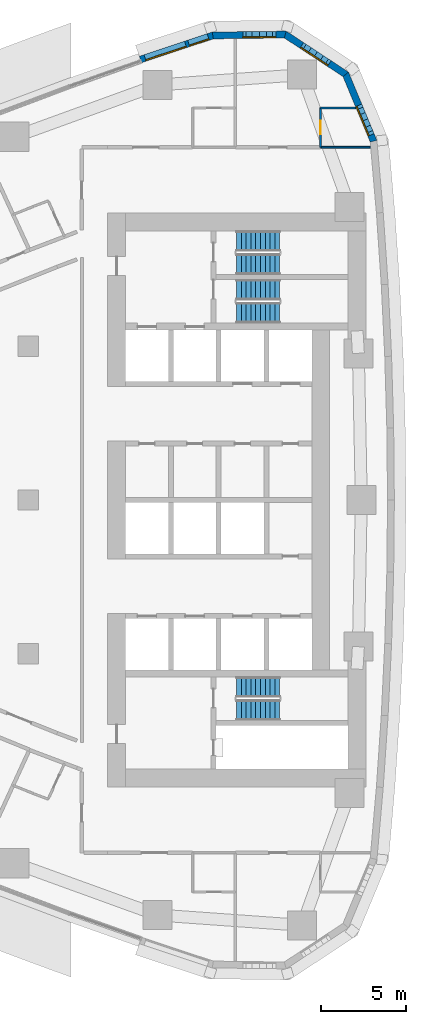
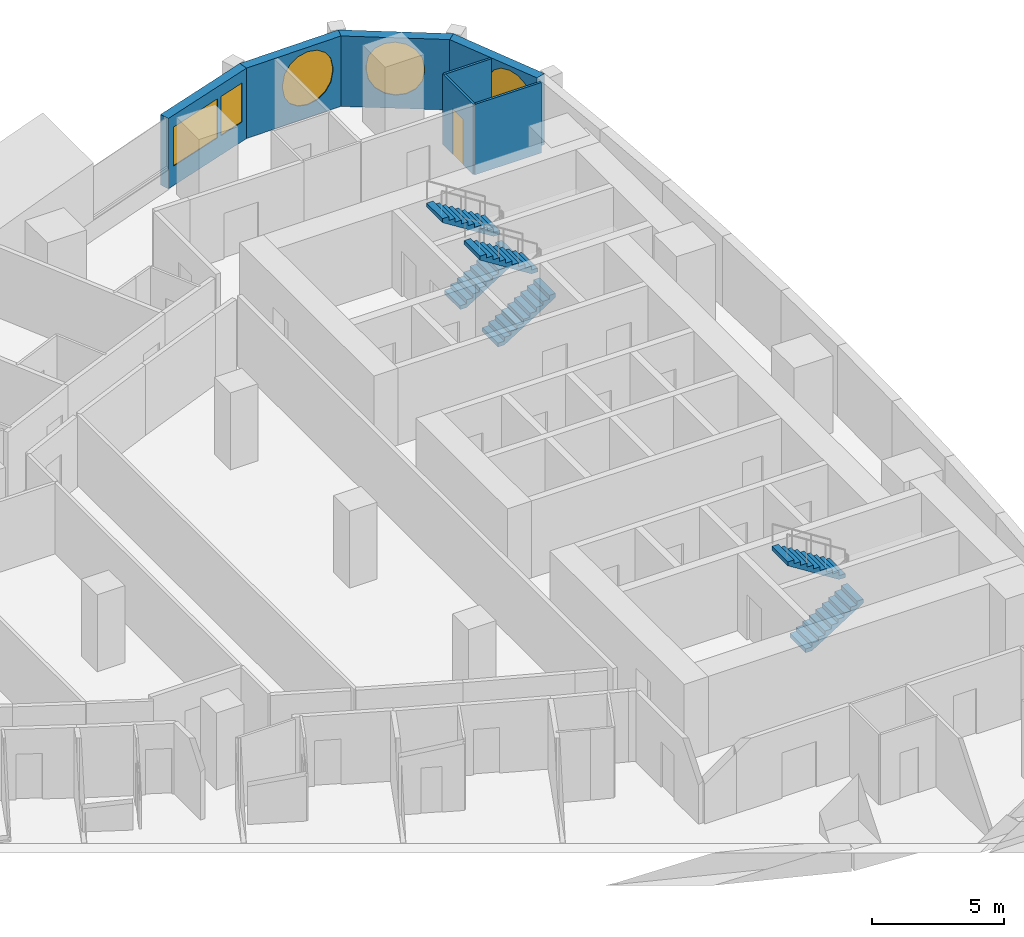
# One storey, part 13 of 17: 7 walls, 6 stair flights, 5 windows, 1 door, 6 openings, 3 elements without a shape of their own.
"""IFC4 building model written with IfcOpenShell, lengths in metres."""

from ifc_helpers import new_model, si_unit, direction, frame, frame_2d, origin, place, context, subcontext, project, spatial, polyline, rectangle, outline, extrude, material, layer, layer_set, type_object, element, fill, aggregate, save


model = new_model("IFC4")

# Units and contexts
model_context = context("Model", 3, precision=1e-05, world=origin(), true_north=direction((0.0, 1.0)))
body_context = subcontext(model_context, "Body", "Model", "MODEL_VIEW")
ifc_project = project(units=[si_unit("LENGTHUNIT", "METRE"), si_unit("AREAUNIT", "SQUARE_METRE"), si_unit("VOLUMEUNIT", "CUBIC_METRE"), si_unit("PLANEANGLEUNIT", "RADIAN"), si_unit("MASSUNIT", "GRAM", prefix="KILO")], contexts=[model_context])

# Site, building, storey
site_placement = place(None, origin())
site = spatial("IfcSite", under=ifc_project, at=site_placement, CompositionType="ELEMENT")
building_placement = place(site_placement, origin())
building = spatial("IfcBuilding", under=site, at=building_placement, Name="Ostrand Prow Hotel Tower", CompositionType="ELEMENT")
storey_placement = place(building_placement, frame((0.0, 0.0, 102.64990234375)))
storey = spatial("IfcBuildingStorey", under=building, at=storey_placement, Name="L24", CompositionType="ELEMENT", Elevation=102.64990234375)

# Wall, opening, door
ifc_material_1 = material(Name="Plasterboard partition")
ifc_layer_1 = layer(ifc_material_1, 0.10009765625)
ifc_layer_set_1 = layer_set([ifc_layer_1], Name="Plasterboard partition")
wall_type_1 = type_object("IfcWallType", Name="Partition 100 bathroom wall", PredefinedType="PARTITIONING", material=ifc_layer_set_1)
wall_1_placement = place(storey_placement, frame((62.111083984375, 20.64990234375, 0.0), z_axis=(0.0, 0.0, 1.0), x_axis=(0.0, 1.0, 0.0)))
wall_1 = element("IfcWall", 1, at=wall_1_placement, inside=storey, type_object=wall_type_1, Name="BATHROOM WALL", PredefinedType="PARTITIONING", context=body_context, shape_type="SweptSolid", body=[
    extrude(rectangle(XDim=2.300048828125, YDim=0.10009765625, at=frame_2d((1.14990234375, 0.0))), origin(), (0.0, 0.0, 1.0), 3.25),
])
opening_1_placement = place(wall_1_placement, frame((0.75, 0.0, 0.0)))
opening_1 = element("IfcOpeningElement", 2, at=opening_1_placement, cuts=wall_1, Name="Opening D2", PredefinedType="OPENING", context=body_context, shape_type="SweptSolid", body=[
    extrude(rectangle(XDim=0.800048828125, YDim=2.10009765625, at=frame_2d((0.39990234375, 1.050048828125))), frame((0.0, 0.06005859375, 0.0), z_axis=(0.0, -1.0, 0.0), x_axis=(1.0, 0.0, 0.0)), (0.0, 0.0, 1.0), 0.1201171875),
])
ifc_material_2 = material(Name="Timber door leaf", Category="wood")
door_type = type_object("IfcDoorType", Name="Bathroom door 800", OperationType="SINGLE_SWING_LEFT", PredefinedType="DOOR", material=ifc_material_2)
door_placement = place(opening_1_placement, origin())
door = element("IfcDoor", 3, at=door_placement, inside=storey, type_object=door_type, Name="DOOR", OperationType="SINGLE_SWING_LEFT", OverallHeight=2.10009765625, OverallWidth=0.800048828125, PredefinedType="DOOR", context=body_context, shape_type="SweptSolid", body=[
    extrude(rectangle(XDim=0.800048828125, YDim=2.10009765625, at=frame_2d((0.39990234375, 1.050048828125))), frame((0.0, 0.02490234375, 0.0), z_axis=(0.0, -1.0, 0.0), x_axis=(1.0, 0.0, 0.0)), (0.0, 0.0, 1.0), 0.050048828125),
])
fill(opening_1, door)

# Walls
wall_2_placement = place(storey_placement, frame((62.111083984375, 22.949951171875, 0.0), z_axis=(0.0, 0.0, 1.0), x_axis=(1.0, 0.0, 0.0)))
element("IfcWall", 4, at=wall_2_placement, inside=storey, type_object=wall_type_1, Name="BATHROOM WALL", PredefinedType="PARTITIONING", context=body_context, shape_type="SweptSolid", body=[
    extrude(rectangle(XDim=2.04931640625, YDim=0.10009765625, at=frame_2d((1.024658203125, 0.0))), origin(), (0.0, 0.0, 1.0), 3.25),
])
wall_3_placement = place(storey_placement, frame((65.016845703125, 20.655029296875, 0.0), z_axis=(0.0, 0.0, 1.0), x_axis=(-1.0, 0.0, 0.0)))
element("IfcWall", 5, at=wall_3_placement, inside=storey, type_object=wall_type_1, Name="BATHROOM WALL", PredefinedType="PARTITIONING", context=body_context, shape_type="SweptSolid", body=[
    extrude(rectangle(XDim=2.90576171875, YDim=0.10009765625, at=frame_2d((1.452880859375, 0.0))), origin(), (0.0, 0.0, 1.0), 3.25),
])

# Wall, opening, window
ifc_material_3 = material(Name="Precast concrete C40/50", Category="concrete")
ifc_layer_2 = layer(ifc_material_3, 0.39990234375)
ifc_layer_set_2 = layer_set([ifc_layer_2], Name="Precast concrete C40/50")
wall_type_2 = type_object("IfcWallType", Name="Stone-faced precast wall 400 mm", PredefinedType="NOTDEFINED", material=ifc_layer_set_2)
wall_4_placement = place(storey_placement, frame((65.21728515625, 21.001708984375, 0.0), z_axis=(0.0, 0.0, 1.0), x_axis=(-0.383997751971, 0.923334027577, 0.0)))
wall_4 = element("IfcWall", 6, at=wall_4_placement, inside=storey, type_object=wall_type_2, Name="Stone-faced wall back 15", PredefinedType="NOTDEFINED", context=body_context, shape_type="SweptSolid", body=[
    extrude(outline(polyline([(-0.031005859375, -0.199951171875), (4.300048828125, -0.199951171875), (4.177490234375, 0.199951171875), (0.031005859375, 0.199951171875), (-0.031005859375, -0.199951171875)])), origin(), (0.0, 0.0, 1.0), 3.25),
])
opening_2_placement = place(wall_4_placement, frame((0.28662109375, 0.0, 0.60009765625)))
opening_2 = element("IfcOpeningElement", 7, at=opening_2_placement, cuts=wall_4, Name="Opening WP1-21", PredefinedType="OPENING", context=body_context, shape_type="SweptSolid", body=[
    extrude(outline(polyline([(0.0, 1.39990234375), (0.079833984375, 1.8017578125), (0.3076171875, 2.142333984375), (0.648193359375, 2.3701171875), (1.050048828125, 2.449951171875), (1.451904296875, 2.3701171875), (1.79248046875, 2.142333984375), (2.020263671875, 1.8017578125), (2.10009765625, 1.39990234375), (2.10009765625, 1.050048828125), (2.020263671875, 0.648193359375), (1.79248046875, 0.3076171875), (1.451904296875, 0.079833984375), (1.050048828125, 0.0), (0.648193359375, 0.079833984375), (0.3076171875, 0.3076171875), (0.079833984375, 0.648193359375), (0.0, 1.050048828125), (0.0, 1.39990234375)])), frame((0.0, 0.2099609375, 0.0), z_axis=(0.0, -1.0, 0.0), x_axis=(1.0, 0.0, 0.0)), (0.0, 0.0, 1.0), 0.419921875),
])
ifc_material_4 = material(Name="Insulated glass in bronze frame", Category="glass")
window_type_1 = type_object("IfcWindowType", Name="Round-ended prow window 2100x2450", PartitioningType="SINGLE_PANEL", PredefinedType="WINDOW", material=ifc_material_4)
window_1_placement = place(opening_2_placement, origin())
window_1 = element("IfcWindow", 8, at=window_1_placement, inside=storey, type_object=window_type_1, Name="Window back 15.1", OverallHeight=2.449951171875, OverallWidth=2.10009765625, PartitioningType="SINGLE_PANEL", PredefinedType="WINDOW", context=body_context, shape_type="SweptSolid", body=[
    extrude(outline(polyline([(0.0, 1.39990234375), (0.079833984375, 1.8017578125), (0.3076171875, 2.142333984375), (0.648193359375, 2.3701171875), (1.050048828125, 2.449951171875), (1.451904296875, 2.3701171875), (1.79248046875, 2.142333984375), (2.020263671875, 1.8017578125), (2.10009765625, 1.39990234375), (2.10009765625, 1.050048828125), (2.020263671875, 0.648193359375), (1.79248046875, 0.3076171875), (1.451904296875, 0.079833984375), (1.050048828125, 0.0), (0.648193359375, 0.079833984375), (0.3076171875, 0.3076171875), (0.079833984375, 0.648193359375), (0.0, 1.050048828125), (0.0, 1.39990234375)])), frame((0.0, 0.169921875, 0.0), z_axis=(0.0, -1.0, 0.0), x_axis=(1.0, 0.0, 0.0)), (0.0, 0.0, 1.0), 0.06005859375),
])
fill(opening_2, window_1)

wall_5_placement = place(storey_placement, frame((63.589599609375, 24.91552734375, 0.0), z_axis=(0.0, 0.0, 1.0), x_axis=(-0.835340523653, 0.549732852887, 0.0)))
wall_5 = element("IfcWall", 9, at=wall_5_placement, inside=storey, type_object=wall_type_2, Name="Stone-faced wall back 16", PredefinedType="NOTDEFINED", context=body_context, shape_type="SweptSolid", body=[
    extrude(outline(polyline([(-0.061279296875, -0.199951171875), (4.30029296875, -0.199951171875), (4.177734375, 0.199951171875), (0.061279296875, 0.199951171875), (-0.061279296875, -0.199951171875)])), origin(), (0.0, 0.0, 1.0), 3.25),
])
opening_3_placement = place(wall_5_placement, frame((1.01953125, 0.0, 0.60009765625)))
opening_3 = element("IfcOpeningElement", 10, at=opening_3_placement, cuts=wall_5, Name="Opening WP1", PredefinedType="OPENING", context=body_context, shape_type="SweptSolid", body=[
    extrude(outline(polyline([(0.0, 1.35009765625), (0.083740234375, 1.77099609375), (0.322265625, 2.127685546875), (0.678955078125, 2.3662109375), (1.10009765625, 2.449951171875), (1.52099609375, 2.3662109375), (1.877685546875, 2.127685546875), (2.1162109375, 1.77099609375), (2.199951171875, 1.35009765625), (2.199951171875, 1.10009765625), (2.1162109375, 0.678955078125), (1.877685546875, 0.322265625), (1.52099609375, 0.083740234375), (1.10009765625, 0.0), (0.678955078125, 0.083740234375), (0.322265625, 0.322265625), (0.083740234375, 0.678955078125), (0.0, 1.099853515625), (0.0, 1.35009765625)])), frame((0.0, 0.2099609375, 0.0), z_axis=(0.0, -1.0, 0.0), x_axis=(1.0, 0.0, 0.0)), (0.0, 0.0, 1.0), 0.419921875),
])
ifc_material_5 = material(Name="Insulated glass in bronze frame", Category="glass")
window_type_2 = type_object("IfcWindowType", Name="Round-ended prow window 2200x2450", PartitioningType="SINGLE_PANEL", PredefinedType="WINDOW", material=ifc_material_5)
window_2_placement = place(opening_3_placement, origin())
window_2 = element("IfcWindow", 11, at=window_2_placement, inside=storey, type_object=window_type_2, Name="Window back 16.1", OverallHeight=2.449951171875, OverallWidth=2.199951171875, PartitioningType="SINGLE_PANEL", PredefinedType="WINDOW", context=body_context, shape_type="SweptSolid", body=[
    extrude(outline(polyline([(0.0, 1.35009765625), (0.083740234375, 1.77099609375), (0.322265625, 2.127685546875), (0.678955078125, 2.3662109375), (1.10009765625, 2.449951171875), (1.52099609375, 2.3662109375), (1.877685546875, 2.127685546875), (2.1162109375, 1.77099609375), (2.199951171875, 1.35009765625), (2.199951171875, 1.10009765625), (2.1162109375, 0.678955078125), (1.877685546875, 0.322265625), (1.52099609375, 0.083740234375), (1.10009765625, 0.0), (0.678955078125, 0.083740234375), (0.322265625, 0.322265625), (0.083740234375, 0.678955078125), (0.0, 1.099853515625), (0.0, 1.35009765625)])), frame((0.0, 0.169921875, 0.0), z_axis=(0.0, -1.0, 0.0), x_axis=(1.0, 0.0, 0.0)), (0.0, 0.0, 1.0), 0.06005859375),
])
fill(opening_3, window_2)

wall_6_placement = place(storey_placement, frame((60.048583984375, 27.245849609375, 0.0), z_axis=(0.0, 0.0, 1.0), x_axis=(-0.999919718849, -0.012671063772, 0.0)))
wall_6 = element("IfcWall", 12, at=wall_6_placement, inside=storey, type_object=wall_type_2, Name="Stone-faced wall back 17", PredefinedType="NOTDEFINED", context=body_context, shape_type="SweptSolid", body=[
    extrude(outline(polyline([(-0.061279296875, -0.199951171875), (4.269775390625, -0.199951171875), (4.207763671875, 0.199951171875), (0.061279296875, 0.199951171875), (-0.061279296875, -0.199951171875)])), origin(), (0.0, 0.0, 1.0), 3.25),
])
opening_4_placement = place(wall_6_placement, frame((0.418212890625, 0.0, 0.60009765625)))
opening_4 = element("IfcOpeningElement", 13, at=opening_4_placement, cuts=wall_6, Name="Opening WP1", PredefinedType="OPENING", context=body_context, shape_type="SweptSolid", body=[
    extrude(outline(polyline([(0.0, 1.35009765625), (0.083740234375, 1.77099609375), (0.322265625, 2.127685546875), (0.678955078125, 2.3662109375), (1.10009765625, 2.449951171875), (1.52099609375, 2.3662109375), (1.877685546875, 2.127685546875), (2.1162109375, 1.77099609375), (2.199951171875, 1.35009765625), (2.199951171875, 1.10009765625), (2.1162109375, 0.678955078125), (1.877685546875, 0.322265625), (1.52099609375, 0.083740234375), (1.10009765625, 0.0), (0.678955078125, 0.083740234375), (0.322265625, 0.322265625), (0.083740234375, 0.678955078125), (0.0, 1.099853515625), (0.0, 1.35009765625)])), frame((0.0, 0.2099609375, 0.0), z_axis=(0.0, -1.0, 0.0), x_axis=(1.0, 0.0, 0.0)), (0.0, 0.0, 1.0), 0.419921875),
])
window_3_placement = place(opening_4_placement, origin())
window_3 = element("IfcWindow", 14, at=window_3_placement, inside=storey, type_object=window_type_2, Name="Window back 17.1", OverallHeight=2.449951171875, OverallWidth=2.199951171875, PartitioningType="SINGLE_PANEL", PredefinedType="WINDOW", context=body_context, shape_type="SweptSolid", body=[
    extrude(outline(polyline([(0.0, 1.35009765625), (0.083740234375, 1.77099609375), (0.322265625, 2.127685546875), (0.678955078125, 2.3662109375), (1.10009765625, 2.449951171875), (1.52099609375, 2.3662109375), (1.877685546875, 2.127685546875), (2.1162109375, 1.77099609375), (2.199951171875, 1.35009765625), (2.199951171875, 1.10009765625), (2.1162109375, 0.678955078125), (1.877685546875, 0.322265625), (1.52099609375, 0.083740234375), (1.10009765625, 0.0), (0.678955078125, 0.083740234375), (0.322265625, 0.322265625), (0.083740234375, 0.678955078125), (0.0, 1.099853515625), (0.0, 1.35009765625)])), frame((0.0, 0.169921875, 0.0), z_axis=(0.0, -1.0, 0.0), x_axis=(1.0, 0.0, 0.0)), (0.0, 0.0, 1.0), 0.06005859375),
])
fill(opening_4, window_3)

# Wall, openings, windows
wall_7_placement = place(storey_placement, frame((55.81005859375, 27.192138671875, 0.0), z_axis=(0.0, 0.0, 1.0), x_axis=(-0.94925004851, -0.314522408429, 0.0)))
wall_7 = element("IfcWall", 15, at=wall_7_placement, inside=storey, type_object=wall_type_2, Name="Stone-faced wall back 18", PredefinedType="NOTDEFINED", context=body_context, shape_type="SweptSolid", body=[
    extrude(outline(polyline([(-0.031005859375, -0.199951171875), (4.468017578125, -0.199951171875), (4.468017578125, 0.199951171875), (0.031005859375, 0.199951171875), (-0.031005859375, -0.199951171875)])), origin(), (0.0, 0.0, 1.0), 3.25),
])
opening_5_placement = place(wall_7_placement, frame((0.283935546875, 0.0, 0.89990234375)))
opening_5 = element("IfcOpeningElement", 16, at=opening_5_placement, cuts=wall_7, Name="Opening WS4", PredefinedType="OPENING", context=body_context, shape_type="SweptSolid", body=[
    extrude(rectangle(XDim=1.199951171875, YDim=1.800048828125, at=frame_2d((0.60009765625, 0.89990234375))), frame((0.0, 0.2099609375, 0.0), z_axis=(0.0, -1.0, 0.0), x_axis=(1.0, 0.0, 0.0)), (0.0, 0.0, 1.0), 0.419921875),
])
opening_6_placement = place(wall_7_placement, frame((1.68408203125, 0.0, 0.89990234375)))
opening_6 = element("IfcOpeningElement", 17, at=opening_6_placement, cuts=wall_7, Name="Opening WS5-25", PredefinedType="OPENING", context=body_context, shape_type="SweptSolid", body=[
    extrude(rectangle(XDim=2.5, YDim=1.800048828125, at=frame_2d((1.25, 0.89990234375))), frame((0.0, 0.2099609375, 0.0), z_axis=(0.0, -1.0, 0.0), x_axis=(1.0, 0.0, 0.0)), (0.0, 0.0, 1.0), 0.419921875),
])
ifc_material_6 = material(Name="Insulated glass in bronze frame", Category="glass")
window_type_3 = type_object("IfcWindowType", Name="Fixed strip window 2500x1800", PartitioningType="SINGLE_PANEL", PredefinedType="WINDOW", material=ifc_material_6)
window_4_placement = place(opening_6_placement, origin())
window_4 = element("IfcWindow", 18, at=window_4_placement, inside=storey, type_object=window_type_3, Name="Window back 18.2", OverallHeight=1.800048828125, OverallWidth=2.5, PartitioningType="SINGLE_PANEL", PredefinedType="WINDOW", context=body_context, shape_type="SweptSolid", body=[
    extrude(rectangle(XDim=2.5, YDim=1.800048828125, at=frame_2d((1.25, 0.89990234375))), frame((0.0, 0.169921875, 0.0), z_axis=(0.0, -1.0, 0.0), x_axis=(1.0, 0.0, 0.0)), (0.0, 0.0, 1.0), 0.06005859375),
])
fill(opening_6, window_4)
ifc_material_7 = material(Name="Insulated glass in bronze frame", Category="glass")
window_type_4 = type_object("IfcWindowType", Name="Operable strip panel 1200x1800", PartitioningType="SINGLE_PANEL", PredefinedType="WINDOW", material=ifc_material_7)
window_5_placement = place(opening_5_placement, origin())
window_5 = element("IfcWindow", 19, at=window_5_placement, inside=storey, type_object=window_type_4, Name="Window back 18.1", OverallHeight=1.800048828125, OverallWidth=1.199951171875, PartitioningType="SINGLE_PANEL", PredefinedType="WINDOW", context=body_context, shape_type="SweptSolid", body=[
    extrude(rectangle(XDim=1.199951171875, YDim=1.800048828125, at=frame_2d((0.60009765625, 0.89990234375))), frame((0.0, 0.169921875, 0.0), z_axis=(0.0, -1.0, 0.0), x_axis=(1.0, 0.0, 0.0)), (0.0, 0.0, 1.0), 0.06005859375),
])
fill(opening_5, window_5)

# Stair, stair flights
ifc_material_8 = material(Name="Concrete C40/50", Category="concrete")
stair_type = type_object("IfcStairType", Name="Exit stair 1200 upper zone", PredefinedType="HALF_TURN_STAIR", material=ifc_material_8)
stair_1_placement = place(storey_placement, origin())
stair_1 = element("IfcStair", 20, at=stair_1_placement, inside=storey, type_object=stair_type, Name="L24 ST1C", PredefinedType="HALF_TURN_STAIR")
ifc_material_9 = material(Name="Concrete C40/50", Category="concrete")
stair_flight_type = type_object("IfcStairFlightType", Name="Stair flight 1200 concrete", PredefinedType="STRAIGHT", material=ifc_material_9)
stair_flight_1_placement = place(storey_placement, frame((57.199951171875, 10.949951171875, 0.0), z_axis=(0.0, 0.0, 1.0), x_axis=(1.0, 0.0, 0.0)))
stair_flight_1 = element("IfcStairFlight", 21, at=stair_flight_1_placement, type_object=stair_flight_type, Name="ST1C flight 1", NumberOfRisers=10, NumberOfTreads=9, PredefinedType="STRAIGHT", RiserHeight=0.1775, TreadLength=0.28, context=body_context, shape_type="SweptSolid", body=[
    extrude(outline(polyline([(0.0, 0.0), (0.0, 0.177490234375), (0.280029296875, 0.177490234375), (0.280029296875, 0.35498046875), (0.56005859375, 0.35498046875), (0.56005859375, 0.532470703125), (0.840087890625, 0.532470703125), (0.840087890625, 0.7099609375), (1.1201171875, 0.7099609375), (1.1201171875, 0.887451171875), (1.39990234375, 0.887451171875), (1.39990234375, 1.06494140625), (1.679931640625, 1.06494140625), (1.679931640625, 1.242431640625), (1.9599609375, 1.242431640625), (1.9599609375, 1.419921875), (2.239990234375, 1.419921875), (2.239990234375, 1.597412109375), (2.52001953125, 1.597412109375), (2.52001953125, 1.77490234375), (2.52001953125, 1.419921875), (0.280029296875, 0.0), (0.0, 0.0)])), frame((0.0, 0.60009765625, 0.0), z_axis=(0.0, -1.0, 0.0), x_axis=(1.0, 0.0, 0.0)), (0.0, 0.0, 1.0), 1.199951171875),
])
stair_flight_2_placement = place(storey_placement, frame((59.719970703125, 12.300048828125, 1.775146484375), z_axis=(0.0, 0.0, 1.0), x_axis=(-1.0, 0.0, 0.0)))
stair_flight_2 = element("IfcStairFlight", 22, at=stair_flight_2_placement, type_object=stair_flight_type, Name="ST1C flight 2", NumberOfRisers=10, NumberOfTreads=9, PredefinedType="STRAIGHT", RiserHeight=0.1775, TreadLength=0.28, context=body_context, shape_type="SweptSolid", body=[
    extrude(outline(polyline([(0.0, 0.0), (0.0, 0.177490234375), (0.280029296875, 0.177490234375), (0.280029296875, 0.35498046875), (0.56005859375, 0.35498046875), (0.56005859375, 0.532470703125), (0.840087890625, 0.532470703125), (0.840087890625, 0.7099609375), (1.1201171875, 0.7099609375), (1.1201171875, 0.887451171875), (1.39990234375, 0.887451171875), (1.39990234375, 1.06494140625), (1.679931640625, 1.06494140625), (1.679931640625, 1.242431640625), (1.9599609375, 1.242431640625), (1.9599609375, 1.419921875), (2.239990234375, 1.419921875), (2.239990234375, 1.597412109375), (2.52001953125, 1.597412109375), (2.52001953125, 1.77490234375), (2.52001953125, 1.419921875), (0.280029296875, 0.0), (0.0, 0.0)])), frame((0.0, 0.60009765625, 0.0), z_axis=(0.0, -1.0, 0.0), x_axis=(1.0, 0.0, 0.0)), (0.0, 0.0, 1.0), 1.199951171875),
])
aggregate(stair_1, [stair_flight_1, stair_flight_2])

stair_2_placement = place(storey_placement, origin())
stair_2 = element("IfcStair", 23, at=stair_2_placement, inside=storey, type_object=stair_type, Name="L24 ST3C", PredefinedType="HALF_TURN_STAIR")
stair_flight_3_placement = place(storey_placement, frame((57.199951171875, 13.800048828125, 0.0), z_axis=(0.0, 0.0, 1.0), x_axis=(1.0, 0.0, 0.0)))
stair_flight_3 = element("IfcStairFlight", 24, at=stair_flight_3_placement, type_object=stair_flight_type, Name="ST3C flight 1", NumberOfRisers=10, NumberOfTreads=9, PredefinedType="STRAIGHT", RiserHeight=0.1775, TreadLength=0.28, context=body_context, shape_type="SweptSolid", body=[
    extrude(outline(polyline([(0.0, 0.0), (0.0, 0.177490234375), (0.280029296875, 0.177490234375), (0.280029296875, 0.35498046875), (0.56005859375, 0.35498046875), (0.56005859375, 0.532470703125), (0.840087890625, 0.532470703125), (0.840087890625, 0.7099609375), (1.1201171875, 0.7099609375), (1.1201171875, 0.887451171875), (1.39990234375, 0.887451171875), (1.39990234375, 1.06494140625), (1.679931640625, 1.06494140625), (1.679931640625, 1.242431640625), (1.9599609375, 1.242431640625), (1.9599609375, 1.419921875), (2.239990234375, 1.419921875), (2.239990234375, 1.597412109375), (2.52001953125, 1.597412109375), (2.52001953125, 1.77490234375), (2.52001953125, 1.419921875), (0.280029296875, 0.0), (0.0, 0.0)])), frame((0.0, 0.60009765625, 0.0), z_axis=(0.0, -1.0, 0.0), x_axis=(1.0, 0.0, 0.0)), (0.0, 0.0, 1.0), 1.199951171875),
])
stair_flight_4_placement = place(storey_placement, frame((59.719970703125, 15.14990234375, 1.775146484375), z_axis=(0.0, 0.0, 1.0), x_axis=(-1.0, 0.0, 0.0)))
stair_flight_4 = element("IfcStairFlight", 25, at=stair_flight_4_placement, type_object=stair_flight_type, Name="ST3C flight 2", NumberOfRisers=10, NumberOfTreads=9, PredefinedType="STRAIGHT", RiserHeight=0.1775, TreadLength=0.28, context=body_context, shape_type="SweptSolid", body=[
    extrude(outline(polyline([(0.0, 0.0), (0.0, 0.177490234375), (0.280029296875, 0.177490234375), (0.280029296875, 0.35498046875), (0.56005859375, 0.35498046875), (0.56005859375, 0.532470703125), (0.840087890625, 0.532470703125), (0.840087890625, 0.7099609375), (1.1201171875, 0.7099609375), (1.1201171875, 0.887451171875), (1.39990234375, 0.887451171875), (1.39990234375, 1.06494140625), (1.679931640625, 1.06494140625), (1.679931640625, 1.242431640625), (1.9599609375, 1.242431640625), (1.9599609375, 1.419921875), (2.239990234375, 1.419921875), (2.239990234375, 1.597412109375), (2.52001953125, 1.597412109375), (2.52001953125, 1.77490234375), (2.52001953125, 1.419921875), (0.280029296875, 0.0), (0.0, 0.0)])), frame((0.0, 0.60009765625, 0.0), z_axis=(0.0, -1.0, 0.0), x_axis=(1.0, 0.0, 0.0)), (0.0, 0.0, 1.0), 1.199951171875),
])
aggregate(stair_2, [stair_flight_3, stair_flight_4])

stair_3_placement = place(storey_placement, origin())
stair_3 = element("IfcStair", 26, at=stair_3_placement, inside=storey, type_object=stair_type, Name="L24 ST2C", PredefinedType="HALF_TURN_STAIR")
stair_flight_5_placement = place(storey_placement, frame((57.199951171875, -12.300048828125, 0.0), z_axis=(0.0, 0.0, 1.0), x_axis=(1.0, 0.0, 0.0)))
stair_flight_5 = element("IfcStairFlight", 27, at=stair_flight_5_placement, type_object=stair_flight_type, Name="ST2C flight 1", NumberOfRisers=10, NumberOfTreads=9, PredefinedType="STRAIGHT", RiserHeight=0.1775, TreadLength=0.28, context=body_context, shape_type="SweptSolid", body=[
    extrude(outline(polyline([(0.0, 0.0), (0.0, 0.177490234375), (0.280029296875, 0.177490234375), (0.280029296875, 0.35498046875), (0.56005859375, 0.35498046875), (0.56005859375, 0.532470703125), (0.840087890625, 0.532470703125), (0.840087890625, 0.7099609375), (1.1201171875, 0.7099609375), (1.1201171875, 0.887451171875), (1.39990234375, 0.887451171875), (1.39990234375, 1.06494140625), (1.679931640625, 1.06494140625), (1.679931640625, 1.242431640625), (1.9599609375, 1.242431640625), (1.9599609375, 1.419921875), (2.239990234375, 1.419921875), (2.239990234375, 1.597412109375), (2.52001953125, 1.597412109375), (2.52001953125, 1.77490234375), (2.52001953125, 1.419921875), (0.280029296875, 0.0), (0.0, 0.0)])), frame((0.0, 0.60009765625, 0.0), z_axis=(0.0, -1.0, 0.0), x_axis=(1.0, 0.0, 0.0)), (0.0, 0.0, 1.0), 1.199951171875),
])
stair_flight_6_placement = place(storey_placement, frame((59.719970703125, -10.949951171875, 1.775146484375), z_axis=(0.0, 0.0, 1.0), x_axis=(-1.0, 0.0, 0.0)))
stair_flight_6 = element("IfcStairFlight", 28, at=stair_flight_6_placement, type_object=stair_flight_type, Name="ST2C flight 2", NumberOfRisers=10, NumberOfTreads=9, PredefinedType="STRAIGHT", RiserHeight=0.1775, TreadLength=0.28, context=body_context, shape_type="SweptSolid", body=[
    extrude(outline(polyline([(0.0, 0.0), (0.0, 0.177490234375), (0.280029296875, 0.177490234375), (0.280029296875, 0.35498046875), (0.56005859375, 0.35498046875), (0.56005859375, 0.532470703125), (0.840087890625, 0.532470703125), (0.840087890625, 0.7099609375), (1.1201171875, 0.7099609375), (1.1201171875, 0.887451171875), (1.39990234375, 0.887451171875), (1.39990234375, 1.06494140625), (1.679931640625, 1.06494140625), (1.679931640625, 1.242431640625), (1.9599609375, 1.242431640625), (1.9599609375, 1.419921875), (2.239990234375, 1.419921875), (2.239990234375, 1.597412109375), (2.52001953125, 1.597412109375), (2.52001953125, 1.77490234375), (2.52001953125, 1.419921875), (0.280029296875, 0.0), (0.0, 0.0)])), frame((0.0, 0.60009765625, 0.0), z_axis=(0.0, -1.0, 0.0), x_axis=(1.0, 0.0, 0.0)), (0.0, 0.0, 1.0), 1.199951171875),
])
aggregate(stair_3, [stair_flight_5, stair_flight_6])

save(model, "model.ifc")
